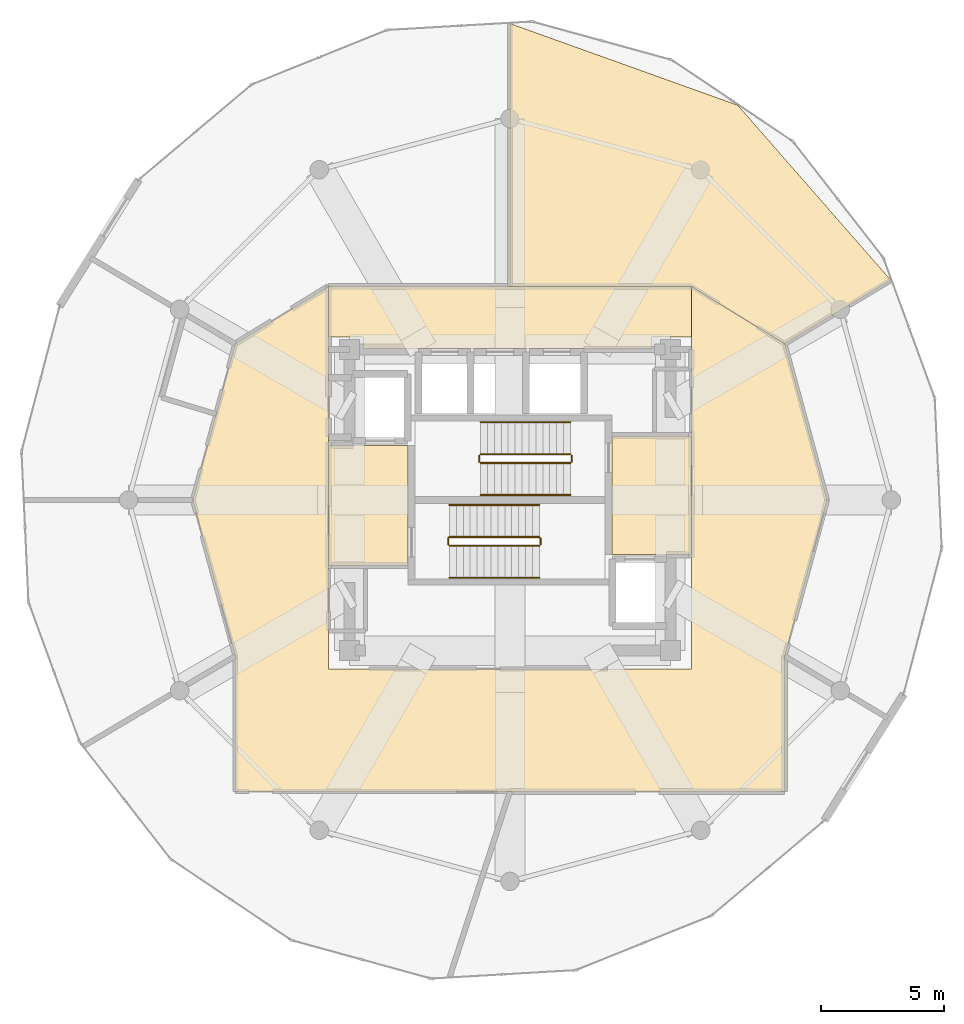
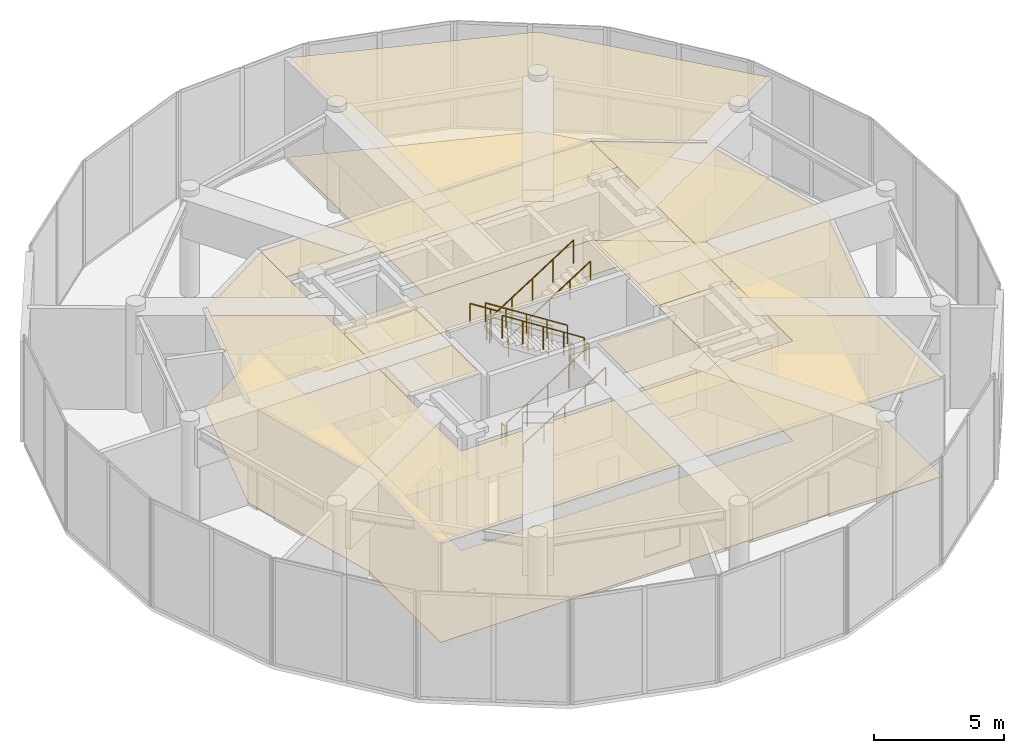
# One storey, part 20 of 20: 12 railings, 10 coverings.
"""IFC4 building model written with IfcOpenShell, lengths in metres."""

from ifc_helpers import new_model, si_unit, direction, frame, origin, origin_2d, place, context, subcontext, project, spatial, polyline, circle, outline, extrude, material, layer, layer_set, type_object, element, save


model = new_model("IFC4")

# Units and contexts
model_context = context("Model", 3, precision=1e-05, world=origin(), true_north=direction((0.0, 1.0)))
body_context = subcontext(model_context, "Body", "Model", "MODEL_VIEW")
ifc_project = project(units=[si_unit("LENGTHUNIT", "METRE"), si_unit("AREAUNIT", "SQUARE_METRE"), si_unit("VOLUMEUNIT", "CUBIC_METRE"), si_unit("PLANEANGLEUNIT", "RADIAN"), si_unit("MASSUNIT", "GRAM", prefix="KILO")], contexts=[model_context])

# Site, building, storey
site_placement = place(None, origin())
site = spatial("IfcSite", under=ifc_project, at=site_placement, CompositionType="ELEMENT")
building_placement = place(site_placement, origin())
building = spatial("IfcBuilding", under=site, at=building_placement, Name="Solvirekh Grand Hotel", CompositionType="ELEMENT")
storey_placement = place(building_placement, frame((0.0, 0.0, 297.199951171875)))
storey = spatial("IfcBuildingStorey", under=building, at=storey_placement, Name="L77", CompositionType="ELEMENT", Elevation=297.199951171875)

# Coverings
ifc_material_1 = material(Name="Acoustic Mineral Ceiling Tile")
ifc_layer_1 = layer(ifc_material_1, 0.02490234375)
ifc_layer_set_1 = layer_set([ifc_layer_1], Name="Acoustic Mineral Ceiling Tile")
covering_type_1 = type_object("IfcCoveringType", Name="Cov_Ceiling_Acoustic", PredefinedType="CEILING", material=ifc_layer_set_1)
covering_1_placement = place(storey_placement, frame((0.0, 0.0, 4.670166015625)))
element("IfcCovering", 1, at=covering_1_placement, inside=storey, type_object=covering_type_1, Name="L77 Firefighting Lobby West acoustic ceiling", PredefinedType="CEILING", context=body_context, shape_type="SweptSolid", body=[
    extrude(outline(polyline([(-7.35009765625, -2.64990234375), (-4.1298828125, -2.64990234375), (-4.1298828125, 2.2099609375), (-7.35009765625, 2.2099609375), (-7.35009765625, -2.64990234375)])), origin(), (0.0, 0.0, 1.0), 0.017822265625),
])
covering_2_placement = place(storey_placement, frame((0.0, 0.0, 4.670166015625)))
element("IfcCovering", 2, at=covering_2_placement, inside=storey, type_object=covering_type_1, Name="L77 Firefighting Lobby East acoustic ceiling", PredefinedType="CEILING", context=body_context, shape_type="SweptSolid", body=[
    extrude(outline(polyline([(4.1298828125, -2.2099609375), (7.35009765625, -2.2099609375), (7.35009765625, 2.60009765625), (4.1298828125, 2.60009765625), (4.1298828125, -2.2099609375)])), origin(), (0.0, 0.0, 1.0), 0.017822265625),
])
covering_3_placement = place(storey_placement, frame((0.0, 0.0, 4.670166015625)))
element("IfcCovering", 3, at=covering_3_placement, inside=storey, type_object=covering_type_1, Name="L77 L77 High-Zone Passenger Lift Lobby acoustic ceiling", PredefinedType="CEILING", context=body_context, shape_type="SweptSolid", body=[
    extrude(outline(polyline([(-7.35009765625, 6.60009765625), (-5.949951171875, 6.60009765625), (-5.949951171875, 6.139892578125), (5.75, 6.139892578125), (5.75, 6.60009765625), (7.35009765625, 6.60009765625), (7.35009765625, 8.64990234375), (-7.35009765625, 8.64990234375), (-7.35009765625, 6.60009765625)])), origin(), (0.0, 0.0, 1.0), 0.017822265625),
])
covering_4_placement = place(storey_placement, frame((0.0, 0.0, 4.670166015625)))
element("IfcCovering", 4, at=covering_4_placement, inside=storey, type_object=covering_type_1, Name="L77 L77 Open Sky-Gallery Concourse acoustic ceiling", PredefinedType="CEILING", context=body_context, shape_type="SweptSolid", body=[
    extrude(outline(polyline([(-7.35009765625, -6.85009765625), (-7.35009765625, 8.64990234375), (-11.1279296875, 6.324951171875), (-12.85009765625, 0.0), (-11.1279296875, -6.324951171875), (-11.1279296875, -11.800048828125), (0.0, -11.800048828125), (11.1279296875, -11.800048828125), (11.1279296875, -6.324951171875), (12.85009765625, 0.0), (11.1279296875, 6.324951171875), (7.35009765625, 8.64990234375), (7.35009765625, -6.85009765625), (-7.35009765625, -6.85009765625)])), origin(), (0.0, 0.0, 1.0), 0.017822265625),
])
covering_5_placement = place(storey_placement, frame((0.0, 0.0, 4.670166015625)))
element("IfcCovering", 5, at=covering_5_placement, inside=storey, type_object=covering_type_1, Name="L77 Observation Deck acoustic ceiling", PredefinedType="CEILING", context=body_context, shape_type="SweptSolid", body=[
    extrude(outline(polyline([(0.0, 8.64990234375), (7.35009765625, 8.64990234375), (11.1279296875, 6.324951171875), (15.424072265625, 8.905029296875), (9.23095703125, 15.988037109375), (0.0, 19.301025390625), (0.0, 8.64990234375)])), origin(), (0.0, 0.0, 1.0), 0.017822265625),
])
ifc_material_2 = material(Name="Porcelain Stoneware Flooring", Category="masonry")
ifc_layer_2 = layer(ifc_material_2, 0.030029296875)
ifc_layer_set_2 = layer_set([ifc_layer_2], Name="Porcelain Stoneware Flooring")
covering_type_2 = type_object("IfcCoveringType", Name="Cov_Floor_Stone", PredefinedType="FLOORING", material=ifc_layer_set_2)
covering_6_placement = place(storey_placement, origin())
element("IfcCovering", 6, at=covering_6_placement, inside=storey, type_object=covering_type_2, Name="L77 Firefighting Lobby West polished granite flooring", PredefinedType="FLOORING", context=body_context, shape_type="SweptSolid", body=[
    extrude(outline(polyline([(-7.35009765625, -2.64990234375), (-4.1298828125, -2.64990234375), (-4.1298828125, 2.2099609375), (-7.35009765625, 2.2099609375), (-7.35009765625, -2.64990234375)])), origin(), (0.0, 0.0, 1.0), 0.02001953125),
])
covering_7_placement = place(storey_placement, origin())
element("IfcCovering", 7, at=covering_7_placement, inside=storey, type_object=covering_type_2, Name="L77 Firefighting Lobby East polished granite flooring", PredefinedType="FLOORING", context=body_context, shape_type="SweptSolid", body=[
    extrude(outline(polyline([(4.1298828125, -2.2099609375), (7.35009765625, -2.2099609375), (7.35009765625, 2.60009765625), (4.1298828125, 2.60009765625), (4.1298828125, -2.2099609375)])), origin(), (0.0, 0.0, 1.0), 0.02001953125),
])
covering_8_placement = place(storey_placement, origin())
element("IfcCovering", 8, at=covering_8_placement, inside=storey, type_object=covering_type_2, Name="L77 L77 High-Zone Passenger Lift Lobby polished granite flooring", PredefinedType="FLOORING", context=body_context, shape_type="SweptSolid", body=[
    extrude(outline(polyline([(-7.35009765625, 6.60009765625), (-5.949951171875, 6.60009765625), (-5.949951171875, 6.139892578125), (5.75, 6.139892578125), (5.75, 6.60009765625), (7.35009765625, 6.60009765625), (7.35009765625, 8.64990234375), (-7.35009765625, 8.64990234375), (-7.35009765625, 6.60009765625)])), origin(), (0.0, 0.0, 1.0), 0.02001953125),
])
covering_9_placement = place(storey_placement, origin())
element("IfcCovering", 9, at=covering_9_placement, inside=storey, type_object=covering_type_2, Name="L77 L77 Open Sky-Gallery Concourse polished granite flooring", PredefinedType="FLOORING", context=body_context, shape_type="SweptSolid", body=[
    extrude(outline(polyline([(-7.35009765625, -6.85009765625), (-7.35009765625, 8.64990234375), (-11.1279296875, 6.324951171875), (-12.85009765625, 0.0), (-11.1279296875, -6.324951171875), (-11.1279296875, -11.800048828125), (0.0, -11.800048828125), (11.1279296875, -11.800048828125), (11.1279296875, -6.324951171875), (12.85009765625, 0.0), (11.1279296875, 6.324951171875), (7.35009765625, 8.64990234375), (7.35009765625, -6.85009765625), (-7.35009765625, -6.85009765625)])), origin(), (0.0, 0.0, 1.0), 0.02001953125),
])
covering_10_placement = place(storey_placement, origin())
element("IfcCovering", 10, at=covering_10_placement, inside=storey, type_object=covering_type_2, Name="L77 Observation Deck polished granite flooring", PredefinedType="FLOORING", context=body_context, shape_type="SweptSolid", body=[
    extrude(outline(polyline([(0.0, 8.64990234375), (7.35009765625, 8.64990234375), (11.1279296875, 6.324951171875), (15.424072265625, 8.905029296875), (9.23095703125, 15.988037109375), (0.0, 19.301025390625), (0.0, 8.64990234375)])), origin(), (0.0, 0.0, 1.0), 0.02001953125),
])

# Railings
ifc_material_3 = material(Name="Steel S355", Category="steel")
railing_type_1 = type_object("IfcRailingType", Name="Guard_Stair_1100", PredefinedType="GUARDRAIL", material=ifc_material_3)
railing_1_placement = place(storey_placement, frame((-2.449951171875, -1.85009765625, 0.1787109375)))
element("IfcRailing", 11, at=railing_1_placement, inside=storey, type_object=railing_type_1, Name="L77 ST-1 stair guard 1", PredefinedType="GUARDRAIL", context=body_context, shape_type="SweptSolid", body=[
    extrude(circle(Radius=0.02392578125, at=origin_2d()), frame((0.0, 0.0, 1.076171875), z_axis=(0.843137146238, 0.0, 0.537698570422), x_axis=(0.0, 1.0, 0.0)), (0.0, 0.0, 1.0), 4.317138671875),
    extrude(circle(Radius=0.02099609375, at=origin_2d()), origin(), (0.0, 0.0, 1.0), 1.052001953125),
    extrude(circle(Radius=0.02099609375, at=origin_2d()), frame((0.909912109375, 0.0, 0.580322265625)), (0.0, 0.0, 1.0), 1.052001953125),
    extrude(circle(Radius=0.02099609375, at=origin_2d()), frame((1.81982421875, 0.0, 1.16064453125)), (0.0, 0.0, 1.0), 1.052001953125),
    extrude(circle(Radius=0.02099609375, at=origin_2d()), frame((2.72998046875, 0.0, 1.740966796875)), (0.0, 0.0, 1.0), 1.052001953125),
    extrude(circle(Radius=0.02099609375, at=origin_2d()), frame((3.639892578125, 0.0, 2.3212890625)), (0.0, 0.0, 1.0), 1.052001953125),
])
railing_2_placement = place(storey_placement, frame((1.239990234375, -1.800048828125, 2.5)))
element("IfcRailing", 12, at=railing_2_placement, inside=storey, type_object=railing_type_1, Name="L77 ST-1 stair guard 2", PredefinedType="GUARDRAIL", context=body_context, shape_type="SweptSolid", body=[
    extrude(circle(Radius=0.02392578125, at=origin_2d()), frame((0.0, 0.0, 1.076171875), z_axis=(0.0, 1.0, 0.0), x_axis=(-1.0, 0.0, 0.0)), (0.0, 0.0, 1.0), 0.25),
    extrude(circle(Radius=0.02099609375, at=origin_2d()), origin(), (0.0, 0.0, 1.0), 1.052001953125),
    extrude(circle(Radius=0.02099609375, at=origin_2d()), frame((0.0, 0.25, 0.0)), (0.0, 0.0, 1.0), 1.052001953125),
])
railing_3_placement = place(storey_placement, frame((1.18994140625, -1.5, 2.6787109375)))
element("IfcRailing", 13, at=railing_3_placement, inside=storey, type_object=railing_type_1, Name="L77 ST-1 stair guard 3", PredefinedType="GUARDRAIL", context=body_context, shape_type="SweptSolid", body=[
    extrude(circle(Radius=0.02392578125, at=origin_2d()), frame((0.0, 0.0, 1.076171875), z_axis=(-0.843137146238, 0.0, 0.537698570422), x_axis=(0.0, -1.0, 0.0)), (0.0, 0.0, 1.0), 4.317138671875),
    extrude(circle(Radius=0.02099609375, at=origin_2d()), origin(), (0.0, 0.0, 1.0), 1.052001953125),
    extrude(circle(Radius=0.02099609375, at=origin_2d()), frame((-0.909912109375, 0.0, 0.580322265625)), (0.0, 0.0, 1.0), 1.052001953125),
    extrude(circle(Radius=0.02099609375, at=origin_2d()), frame((-1.81982421875, 0.0, 1.16064453125)), (0.0, 0.0, 1.0), 1.052001953125),
    extrude(circle(Radius=0.02099609375, at=origin_2d()), frame((-2.72998046875, 0.0, 1.740966796875)), (0.0, 0.0, 1.0), 1.052001953125),
    extrude(circle(Radius=0.02099609375, at=origin_2d()), frame((-3.639892578125, 0.0, 2.3212890625)), (0.0, 0.0, 1.0), 1.052001953125),
])
railing_4_placement = place(storey_placement, frame((-2.5, -1.800048828125, 0.0)))
element("IfcRailing", 14, at=railing_4_placement, inside=storey, type_object=railing_type_1, Name="L77 ST-1 stair guard 4", PredefinedType="GUARDRAIL", context=body_context, shape_type="SweptSolid", body=[
    extrude(circle(Radius=0.02392578125, at=origin_2d()), frame((0.0, 0.0, 1.076171875), z_axis=(0.0, 1.0, 0.0), x_axis=(-1.0, 0.0, 0.0)), (0.0, 0.0, 1.0), 0.25),
    extrude(circle(Radius=0.02099609375, at=origin_2d()), origin(), (0.0, 0.0, 1.0), 1.052001953125),
    extrude(circle(Radius=0.02099609375, at=origin_2d()), frame((0.0, 0.25, 0.0)), (0.0, 0.0, 1.0), 1.052001953125),
])
railing_5_placement = place(storey_placement, frame((2.449951171875, 1.85009765625, 0.1787109375)))
element("IfcRailing", 15, at=railing_5_placement, inside=storey, type_object=railing_type_1, Name="L77 ST-2 stair guard 1", PredefinedType="GUARDRAIL", context=body_context, shape_type="SweptSolid", body=[
    extrude(circle(Radius=0.02392578125, at=origin_2d()), frame((0.0, 0.0, 1.076171875), z_axis=(-0.843137146238, 0.0, 0.537698570422), x_axis=(0.0, -1.0, 0.0)), (0.0, 0.0, 1.0), 4.317138671875),
    extrude(circle(Radius=0.02099609375, at=origin_2d()), origin(), (0.0, 0.0, 1.0), 1.052001953125),
    extrude(circle(Radius=0.02099609375, at=origin_2d()), frame((-0.909912109375, 0.0, 0.580322265625)), (0.0, 0.0, 1.0), 1.052001953125),
    extrude(circle(Radius=0.02099609375, at=origin_2d()), frame((-1.81982421875, 0.0, 1.16064453125)), (0.0, 0.0, 1.0), 1.052001953125),
    extrude(circle(Radius=0.02099609375, at=origin_2d()), frame((-2.72998046875, 0.0, 1.740966796875)), (0.0, 0.0, 1.0), 1.052001953125),
    extrude(circle(Radius=0.02099609375, at=origin_2d()), frame((-3.639892578125, 0.0, 2.3212890625)), (0.0, 0.0, 1.0), 1.052001953125),
])
railing_6_placement = place(storey_placement, frame((-1.239990234375, 1.800048828125, 2.5)))
element("IfcRailing", 16, at=railing_6_placement, inside=storey, type_object=railing_type_1, Name="L77 ST-2 stair guard 2", PredefinedType="GUARDRAIL", context=body_context, shape_type="SweptSolid", body=[
    extrude(circle(Radius=0.02392578125, at=origin_2d()), frame((0.0, 0.0, 1.076171875), z_axis=(0.0, -1.0, 0.0), x_axis=(1.0, 0.0, 0.0)), (0.0, 0.0, 1.0), 0.25),
    extrude(circle(Radius=0.02099609375, at=origin_2d()), origin(), (0.0, 0.0, 1.0), 1.052001953125),
    extrude(circle(Radius=0.02099609375, at=origin_2d()), frame((0.0, -0.25, 0.0)), (0.0, 0.0, 1.0), 1.052001953125),
])
railing_7_placement = place(storey_placement, frame((-1.18994140625, 1.5, 2.6787109375)))
element("IfcRailing", 17, at=railing_7_placement, inside=storey, type_object=railing_type_1, Name="L77 ST-2 stair guard 3", PredefinedType="GUARDRAIL", context=body_context, shape_type="SweptSolid", body=[
    extrude(circle(Radius=0.02392578125, at=origin_2d()), frame((0.0, 0.0, 1.076171875), z_axis=(0.843137146238, 0.0, 0.537698570422), x_axis=(0.0, 1.0, 0.0)), (0.0, 0.0, 1.0), 4.317138671875),
    extrude(circle(Radius=0.02099609375, at=origin_2d()), origin(), (0.0, 0.0, 1.0), 1.052001953125),
    extrude(circle(Radius=0.02099609375, at=origin_2d()), frame((0.909912109375, 0.0, 0.580322265625)), (0.0, 0.0, 1.0), 1.052001953125),
    extrude(circle(Radius=0.02099609375, at=origin_2d()), frame((1.81982421875, 0.0, 1.16064453125)), (0.0, 0.0, 1.0), 1.052001953125),
    extrude(circle(Radius=0.02099609375, at=origin_2d()), frame((2.72998046875, 0.0, 1.740966796875)), (0.0, 0.0, 1.0), 1.052001953125),
    extrude(circle(Radius=0.02099609375, at=origin_2d()), frame((3.639892578125, 0.0, 2.3212890625)), (0.0, 0.0, 1.0), 1.052001953125),
])
railing_8_placement = place(storey_placement, frame((2.5, 1.800048828125, 0.0)))
element("IfcRailing", 18, at=railing_8_placement, inside=storey, type_object=railing_type_1, Name="L77 ST-2 stair guard 4", PredefinedType="GUARDRAIL", context=body_context, shape_type="SweptSolid", body=[
    extrude(circle(Radius=0.02392578125, at=origin_2d()), frame((0.0, 0.0, 1.076171875), z_axis=(0.0, -1.0, 0.0), x_axis=(1.0, 0.0, 0.0)), (0.0, 0.0, 1.0), 0.25),
    extrude(circle(Radius=0.02099609375, at=origin_2d()), origin(), (0.0, 0.0, 1.0), 1.052001953125),
    extrude(circle(Radius=0.02099609375, at=origin_2d()), frame((0.0, -0.25, 0.0)), (0.0, 0.0, 1.0), 1.052001953125),
])
ifc_material_4 = material(Name="Anodized Bronze Aluminium 6063-T6", Category="aluminium")
railing_type_2 = type_object("IfcRailingType", Name="Handrail_Wall_900", PredefinedType="HANDRAIL", material=ifc_material_4)
railing_9_placement = place(storey_placement, frame((-2.449951171875, -3.14990234375, 0.1787109375)))
element("IfcRailing", 19, at=railing_9_placement, inside=storey, type_object=railing_type_2, Name="L77 ST-1 stair handrail 1", PredefinedType="HANDRAIL", context=body_context, shape_type="SweptSolid", body=[
    extrude(circle(Radius=0.02392578125, at=origin_2d()), frame((0.0, 0.0, 0.8759765625), z_axis=(0.843137146238, 0.0, 0.537698570422), x_axis=(0.0, 1.0, 0.0)), (0.0, 0.0, 1.0), 4.317138671875),
    extrude(circle(Radius=0.02099609375, at=origin_2d()), origin(), (0.0, 0.0, 1.0), 0.851806640625),
    extrude(circle(Radius=0.02099609375, at=origin_2d()), frame((0.909912109375, 0.0, 0.580322265625)), (0.0, 0.0, 1.0), 0.851806640625),
    extrude(circle(Radius=0.02099609375, at=origin_2d()), frame((1.81982421875, 0.0, 1.16064453125)), (0.0, 0.0, 1.0), 0.851806640625),
    extrude(circle(Radius=0.02099609375, at=origin_2d()), frame((2.72998046875, 0.0, 1.740966796875)), (0.0, 0.0, 1.0), 0.851806640625),
    extrude(circle(Radius=0.02099609375, at=origin_2d()), frame((3.639892578125, 0.0, 2.3212890625)), (0.0, 0.0, 1.0), 0.851806640625),
])
for number, where, name in (
    (20, (1.18994140625, -0.199951171875, 2.6787109375), "L77 ST-1 stair handrail 2"),
    (21, (2.449951171875, 3.14990234375, 0.1787109375), "L77 ST-2 stair handrail 1"),
):
    element("IfcRailing", number, at=place(storey_placement, frame(where)), inside=storey, type_object=railing_type_2, Name=name, PredefinedType="HANDRAIL", context=body_context, shape_type="SweptSolid", body=[
        extrude(circle(Radius=0.02392578125, at=origin_2d()), frame((0.0, 0.0, 0.8759765625), z_axis=(-0.843137146238, 0.0, 0.537698570422), x_axis=(0.0, -1.0, 0.0)), (0.0, 0.0, 1.0), 4.317138671875),
        extrude(circle(Radius=0.02099609375, at=origin_2d()), origin(), (0.0, 0.0, 1.0), 0.851806640625),
        extrude(circle(Radius=0.02099609375, at=origin_2d()), frame((-0.909912109375, 0.0, 0.580322265625)), (0.0, 0.0, 1.0), 0.851806640625),
        extrude(circle(Radius=0.02099609375, at=origin_2d()), frame((-1.81982421875, 0.0, 1.16064453125)), (0.0, 0.0, 1.0), 0.851806640625),
        extrude(circle(Radius=0.02099609375, at=origin_2d()), frame((-2.72998046875, 0.0, 1.740966796875)), (0.0, 0.0, 1.0), 0.851806640625),
        extrude(circle(Radius=0.02099609375, at=origin_2d()), frame((-3.639892578125, 0.0, 2.3212890625)), (0.0, 0.0, 1.0), 0.851806640625),
    ])
railing_10_placement = place(storey_placement, frame((-1.18994140625, 0.199951171875, 2.6787109375)))
element("IfcRailing", 22, at=railing_10_placement, inside=storey, type_object=railing_type_2, Name="L77 ST-2 stair handrail 2", PredefinedType="HANDRAIL", context=body_context, shape_type="SweptSolid", body=[
    extrude(circle(Radius=0.02392578125, at=origin_2d()), frame((0.0, 0.0, 0.8759765625), z_axis=(0.843137146238, 0.0, 0.537698570422), x_axis=(0.0, 1.0, 0.0)), (0.0, 0.0, 1.0), 4.317138671875),
    extrude(circle(Radius=0.02099609375, at=origin_2d()), origin(), (0.0, 0.0, 1.0), 0.851806640625),
    extrude(circle(Radius=0.02099609375, at=origin_2d()), frame((0.909912109375, 0.0, 0.580322265625)), (0.0, 0.0, 1.0), 0.851806640625),
    extrude(circle(Radius=0.02099609375, at=origin_2d()), frame((1.81982421875, 0.0, 1.16064453125)), (0.0, 0.0, 1.0), 0.851806640625),
    extrude(circle(Radius=0.02099609375, at=origin_2d()), frame((2.72998046875, 0.0, 1.740966796875)), (0.0, 0.0, 1.0), 0.851806640625),
    extrude(circle(Radius=0.02099609375, at=origin_2d()), frame((3.639892578125, 0.0, 2.3212890625)), (0.0, 0.0, 1.0), 0.851806640625),
])

save(model, "model.ifc")
